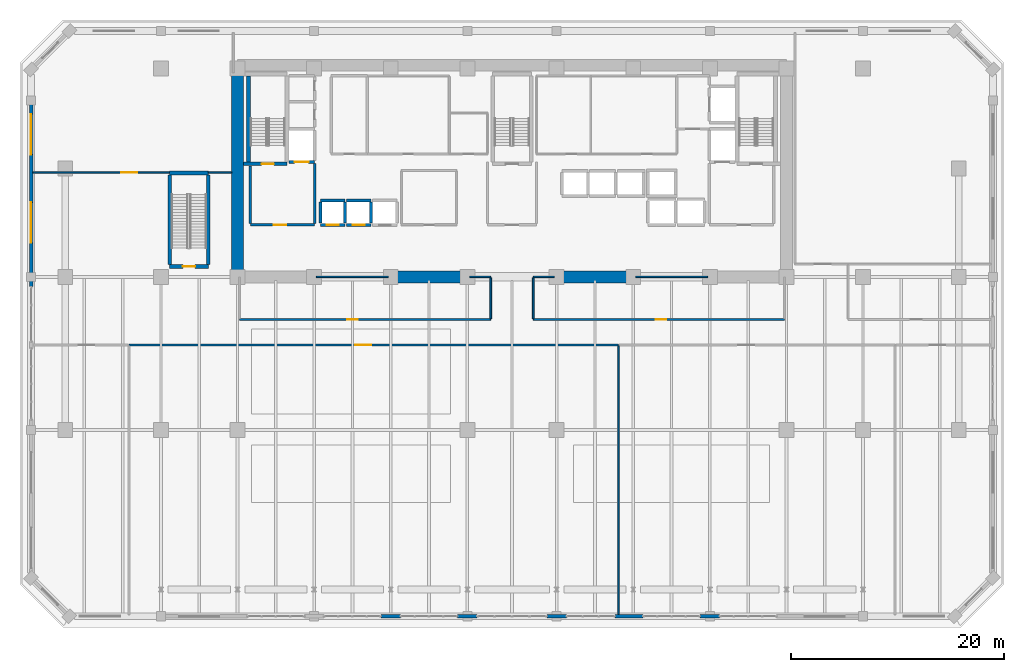
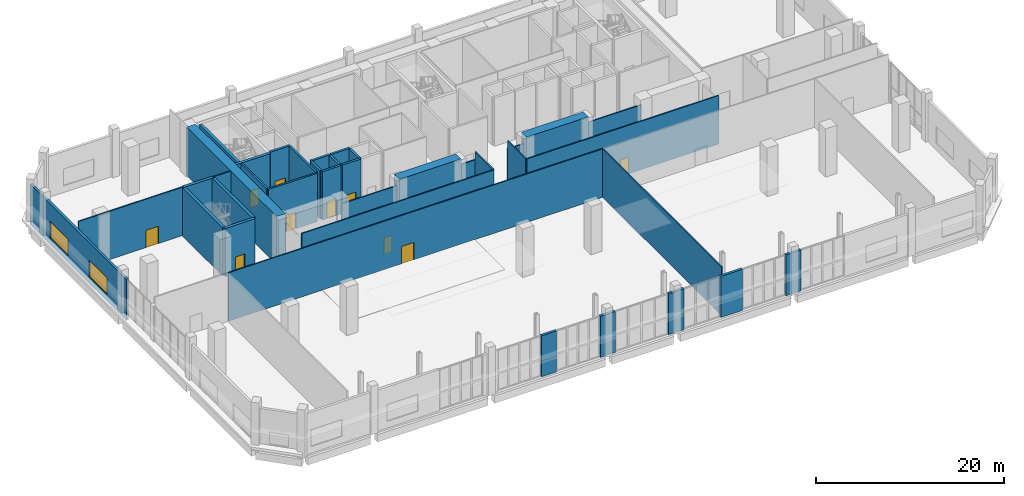
# One storey, part 21 of 29: 38 walls, 10 doors, 2 windows, 12 openings.
"""IFC4 building model written with IfcOpenShell, lengths in metres."""

from ifc_helpers import new_model, si_unit, direction, frame, frame_2d, origin, place, context, subcontext, project, spatial, rectangle, extrude, material, layer, layer_set, type_object, element, fill, save


model = new_model("IFC4")

# Units and contexts
model_context = context("Model", 3, precision=1e-05, world=origin(), true_north=direction((0.0, 1.0)))
body_context = subcontext(model_context, "Body", "Model", "MODEL_VIEW")
ifc_project = project(units=[si_unit("LENGTHUNIT", "METRE"), si_unit("AREAUNIT", "SQUARE_METRE"), si_unit("VOLUMEUNIT", "CUBIC_METRE"), si_unit("PLANEANGLEUNIT", "RADIAN"), si_unit("MASSUNIT", "GRAM", prefix="KILO")], contexts=[model_context])

# Site, building, storey
site_placement = place(None, origin())
site = spatial("IfcSite", under=ifc_project, at=site_placement, CompositionType="ELEMENT")
building_placement = place(site_placement, origin())
building = spatial("IfcBuilding", under=site, at=building_placement, Name="Kaelvorn Grand Hotel", CompositionType="ELEMENT")
storey_placement = place(building_placement, frame((0.0, 0.0, 19.39990234375)))
storey = spatial("IfcBuildingStorey", under=building, at=storey_placement, Name="L03", CompositionType="ELEMENT", Elevation=19.39990234375)

# Walls
ifc_material_1 = material(Name="Concrete C80/95", Category="concrete")
ifc_layer_1 = layer(ifc_material_1, 1.10009765625)
ifc_layer_set_1 = layer_set([ifc_layer_1], Name="Concrete C80/95")
wall_type_1 = type_object("IfcWallType", Name="WL-CORE-1100-C80", PredefinedType="SHEAR", material=ifc_layer_set_1)
wall_1_placement = place(storey_placement, frame((16.199951171875, 29.39990234375, 0.0), z_axis=(0.0, 0.0, 1.0), x_axis=(0.0, 1.0, 0.0)))
element("IfcWall", 1, at=wall_1_placement, inside=storey, type_object=wall_type_1, Name="L03 Rear-Core West Shear Wall", PredefinedType="SHEAR", context=body_context, shape_type="SweptSolid", body=[
    extrude(rectangle(XDim=19.2001953125, YDim=1.10009765625, at=frame_2d((9.60009765625, 0.0))), origin(), (0.0, 0.0, 1.0), 6.280029296875),
])
for number, where, z_axis, x_axis, name in (
    (2, (30.39990234375, 29.39990234375, 0.0), (0.0, 0.0, 1.0), (1.0, 0.0, 0.0), "L03 Rear-Core Coupled Shear Pier S2"),
    (3, (46.0, 29.39990234375, 0.0), (0.0, 0.0, 1.0), (1.0, 0.0, 0.0), "L03 Rear-Core Coupled Shear Pier S3"),
):
    element("IfcWall", number, at=place(storey_placement, frame(where, z_axis=z_axis, x_axis=x_axis)), inside=storey, type_object=wall_type_1, Name=name, PredefinedType="SHEAR", context=body_context, shape_type="SweptSolid", body=[
        extrude(rectangle(XDim=7.60009765625, YDim=1.10009765625, at=frame_2d((3.800048828125, 0.0))), origin(), (0.0, 0.0, 1.0), 6.280029296875),
    ])
ifc_material_2 = material(Name="Concrete C40/50", Category="concrete")
ifc_layer_2 = layer(ifc_material_2, 0.300048828125)
ifc_layer_set_2 = layer_set([ifc_layer_2], Name="Concrete C40/50")
wall_type_2 = type_object("IfcWallType", Name="WL-EXT-300-C40", PredefinedType="SOLIDWALL", material=ifc_layer_set_2)
wall_2_placement = place(storey_placement, frame((29.675048828125, -2.5, 0.0), z_axis=(0.0, 0.0, 1.0), x_axis=(1.0, 0.0, 0.0)))
element("IfcWall", 4, at=wall_2_placement, inside=storey, type_object=wall_type_2, Name="L03 Exterior Architectural Concrete Wall 01 Pier 3", PredefinedType="SOLIDWALL", context=body_context, shape_type="SweptSolid", body=[
    extrude(rectangle(XDim=1.849853515625, YDim=0.300048828125, at=frame_2d((0.9248046875, 0.0))), origin(), (0.0, 0.0, 1.0), 5.330078125),
])
for number, where, z_axis, x_axis, name in (
    (5, (36.875, -2.5, 0.0), (0.0, 0.0, 1.0), (1.0, 0.0, 0.0), "L03 Exterior Architectural Concrete Wall 01 Pier 4"),
    (6, (45.27490234375, -2.5, 0.0), (0.0, 0.0, 1.0), (1.0, 0.0, 0.0), "L03 Exterior Architectural Concrete Wall 01 Pier 5"),
):
    element("IfcWall", number, at=place(storey_placement, frame(where, z_axis=z_axis, x_axis=x_axis)), inside=storey, type_object=wall_type_2, Name=name, PredefinedType="SOLIDWALL", context=body_context, shape_type="SweptSolid", body=[
        extrude(rectangle(XDim=1.85009765625, YDim=0.300048828125, at=frame_2d((0.925048828125, 0.0))), origin(), (0.0, 0.0, 1.0), 5.330078125),
    ])
wall_3_placement = place(storey_placement, frame((51.675048828125, -2.5, 0.0), z_axis=(0.0, 0.0, 1.0), x_axis=(1.0, 0.0, 0.0)))
element("IfcWall", 7, at=wall_3_placement, inside=storey, type_object=wall_type_2, Name="L03 Exterior Architectural Concrete Wall 01 Pier 6", PredefinedType="SOLIDWALL", context=body_context, shape_type="SweptSolid", body=[
    extrude(rectangle(XDim=2.64990234375, YDim=0.300048828125, at=frame_2d((1.324951171875, 0.0))), origin(), (0.0, 0.0, 1.0), 5.330078125),
])
wall_4_placement = place(storey_placement, frame((59.675048828125, -2.5, 0.0), z_axis=(0.0, 0.0, 1.0), x_axis=(1.0, 0.0, 0.0)))
element("IfcWall", 8, at=wall_4_placement, inside=storey, type_object=wall_type_2, Name="L03 Exterior Architectural Concrete Wall 01 Pier 7", PredefinedType="SOLIDWALL", context=body_context, shape_type="SweptSolid", body=[
    extrude(rectangle(XDim=1.849853515625, YDim=0.300048828125, at=frame_2d((0.9248046875, 0.0))), origin(), (0.0, 0.0, 1.0), 5.330078125),
])

# Wall, openings, windows
wall_5_placement = place(storey_placement, frame((-3.199951171875, 48.89990234375, 0.0), z_axis=(0.0, 0.0, 1.0), x_axis=(0.0, -1.0, 0.0)))
wall_5 = element("IfcWall", 9, at=wall_5_placement, inside=storey, type_object=wall_type_2, Name="L03 Exterior Architectural Concrete Wall 07 Pier 1", PredefinedType="SOLIDWALL", context=body_context, shape_type="SweptSolid", body=[
    extrude(rectangle(XDim=20.4248046875, YDim=0.300048828125, at=frame_2d((10.21240234375, 0.0))), origin(), (0.0, 0.0, 1.0), 5.330078125),
])
opening_1_placement = place(wall_5_placement, frame((12.5, 0.0, 0.85009765625)))
opening_1 = element("IfcOpeningElement", 10, at=opening_1_placement, cuts=wall_5, Name="Opening W9", PredefinedType="OPENING", context=body_context, shape_type="SweptSolid", body=[
    extrude(rectangle(XDim=3.800048828125, YDim=2.199951171875, at=frame_2d((1.89990234375, 1.10009765625))), frame((0.0, 0.16015625, 0.0), z_axis=(0.0, -1.0, 0.0), x_axis=(1.0, 0.0, 0.0)), (0.0, 0.0, 1.0), 0.320068359375),
])
opening_2_placement = place(wall_5_placement, frame((4.199951171875, 0.0, 0.85009765625)))
opening_2 = element("IfcOpeningElement", 11, at=opening_2_placement, cuts=wall_5, Name="Opening W9", PredefinedType="OPENING", context=body_context, shape_type="SweptSolid", body=[
    extrude(rectangle(XDim=3.800048828125, YDim=2.199951171875, at=frame_2d((1.89990234375, 1.10009765625))), frame((0.0, 0.16015625, 0.0), z_axis=(0.0, -1.0, 0.0), x_axis=(1.0, 0.0, 0.0)), (0.0, 0.0, 1.0), 0.320068359375),
])
ifc_material_3 = material(Name="Laminated Low-E Glass", Category="glass")
window_type = type_object("IfcWindowType", Name="WIN-POD-3800x2200", PartitioningType="SINGLE_PANEL", PredefinedType="WINDOW", material=ifc_material_3)
window_1_placement = place(opening_1_placement, origin())
window_1 = element("IfcWindow", 12, at=window_1_placement, inside=storey, type_object=window_type, Name="L03 Podium W Ribbon Window 1", OverallHeight=2.199951171875, OverallWidth=3.800048828125, PartitioningType="SINGLE_PANEL", PredefinedType="WINDOW", context=body_context, shape_type="SweptSolid", body=[
    extrude(rectangle(XDim=3.800048828125, YDim=2.199951171875, at=frame_2d((1.89990234375, 1.10009765625))), frame((0.0, 0.030029296875, 0.0), z_axis=(0.0, -1.0, 0.0), x_axis=(1.0, 0.0, 0.0)), (0.0, 0.0, 1.0), 0.06005859375),
])
fill(opening_1, window_1)
window_2_placement = place(opening_2_placement, origin())
window_2 = element("IfcWindow", 13, at=window_2_placement, inside=storey, type_object=window_type, Name="L03 Podium W Ribbon Window 2", OverallHeight=2.199951171875, OverallWidth=3.800048828125, PartitioningType="SINGLE_PANEL", PredefinedType="WINDOW", context=body_context, shape_type="SweptSolid", body=[
    extrude(rectangle(XDim=3.800048828125, YDim=2.199951171875, at=frame_2d((1.89990234375, 1.10009765625))), frame((0.0, 0.030029296875, 0.0), z_axis=(0.0, -1.0, 0.0), x_axis=(1.0, 0.0, 0.0)), (0.0, 0.0, 1.0), 0.06005859375),
])
fill(opening_2, window_2)

# Wall, opening, door
ifc_material_4 = material(Name="Acoustic Gypsum & Stud Partition")
ifc_layer_3 = layer(ifc_material_4, 0.14990234375)
ifc_layer_set_3 = layer_set([ifc_layer_3], Name="Acoustic Gypsum & Stud Partition")
wall_type_3 = type_object("IfcWallType", Name="WL-PART-150-EI60", PredefinedType="PARTITIONING", material=ifc_layer_set_3)
wall_6_placement = place(storey_placement, frame((-3.044921875, 39.199951171875, 0.0), z_axis=(0.0, 0.0, 1.0), x_axis=(1.0, 0.0, 0.0)))
wall_6 = element("IfcWall", 14, at=wall_6_placement, inside=storey, type_object=wall_type_3, Name="L03 L03 North-West Banquet Support & Admin Office S Partition (1)", PredefinedType="PARTITIONING", context=body_context, shape_type="SweptSolid", body=[
    extrude(rectangle(XDim=12.85986328125, YDim=0.14990234375, at=frame_2d((6.429931640625, 0.0))), origin(), (0.0, 0.0, 1.0), 6.280029296875),
])
opening_3_placement = place(wall_6_placement, frame((8.294921875, 0.0, 0.0)))
opening_3 = element("IfcOpeningElement", 15, at=opening_3_placement, cuts=wall_6, Name="Opening DI5", PredefinedType="OPENING", context=body_context, shape_type="SweptSolid", body=[
    extrude(rectangle(XDim=1.5, YDim=2.25, at=frame_2d((0.75, 1.125))), frame((0.0, 0.0849609375, 0.0), z_axis=(0.0, -1.0, 0.0), x_axis=(1.0, 0.0, 0.0)), (0.0, 0.0, 1.0), 0.169921875),
])
ifc_material_5 = material(Name="Timber Veneer Fire Leaf", Category="wood")
door_type_1 = type_object("IfcDoorType", Name="DR-INT-SALON-1500x2250", OperationType="DOUBLE_DOOR_SINGLE_SWING", PredefinedType="DOOR", material=ifc_material_5)
door_1_placement = place(opening_3_placement, origin())
door_1 = element("IfcDoor", 16, at=door_1_placement, inside=storey, type_object=door_type_1, Name="L03 L03 North-West Banquet Support & Admin Office Door", OperationType="DOUBLE_DOOR_SINGLE_SWING", OverallHeight=2.25, OverallWidth=1.5, PredefinedType="DOOR", context=body_context, shape_type="SweptSolid", body=[
    extrude(rectangle(XDim=1.5, YDim=2.25, at=frame_2d((0.75, 1.125))), frame((0.0, 0.02490234375, 0.0), z_axis=(0.0, -1.0, 0.0), x_axis=(1.0, 0.0, 0.0)), (0.0, 0.0, 1.0), 0.050048828125),
])
fill(opening_3, door_1)

# Wall
wall_7_placement = place(storey_placement, frame((13.465087890625, 39.199951171875, 0.0), z_axis=(0.0, 0.0, 1.0), x_axis=(1.0, 0.0, 0.0)))
element("IfcWall", 17, at=wall_7_placement, inside=storey, type_object=wall_type_3, Name="L03 L03 North-West Banquet Support & Admin Office S Partition (2)", PredefinedType="PARTITIONING", context=body_context, shape_type="SweptSolid", body=[
    extrude(rectangle(XDim=2.179931640625, YDim=0.14990234375, at=frame_2d((1.08984375, 0.0))), origin(), (0.0, 0.0, 1.0), 6.280029296875),
])

# Wall, opening, door
wall_8_placement = place(storey_placement, frame((6.0, 23.0, 0.0), z_axis=(0.0, 0.0, 1.0), x_axis=(1.0, 0.0, 0.0)))
wall_8 = element("IfcWall", 18, at=wall_8_placement, inside=storey, type_object=wall_type_3, Name="L03 Grand Ballroom N Partition", PredefinedType="PARTITIONING", context=body_context, shape_type="SweptSolid", body=[
    extrude(rectangle(XDim=46.0, YDim=0.14990234375, at=frame_2d((23.0, 0.0))), origin(), (0.0, 0.0, 1.0), 6.280029296875),
])
opening_4_placement = place(wall_8_placement, frame((21.25, 0.0, 0.0)))
opening_4 = element("IfcOpeningElement", 19, at=opening_4_placement, cuts=wall_8, Name="Opening DI5", PredefinedType="OPENING", context=body_context, shape_type="SweptSolid", body=[
    extrude(rectangle(XDim=1.5, YDim=2.25, at=frame_2d((0.75, 1.125))), frame((0.0, 0.0849609375, 0.0), z_axis=(0.0, -1.0, 0.0), x_axis=(1.0, 0.0, 0.0)), (0.0, 0.0, 1.0), 0.169921875),
])
door_2_placement = place(opening_4_placement, origin())
door_2 = element("IfcDoor", 20, at=door_2_placement, inside=storey, type_object=door_type_1, Name="L03 Grand Ballroom Door", OperationType="DOUBLE_DOOR_SINGLE_SWING", OverallHeight=2.25, OverallWidth=1.5, PredefinedType="DOOR", context=body_context, shape_type="SweptSolid", body=[
    extrude(rectangle(XDim=1.5, YDim=2.25, at=frame_2d((0.75, 1.125))), frame((0.0, 0.02490234375, 0.0), z_axis=(0.0, -1.0, 0.0), x_axis=(1.0, 0.0, 0.0)), (0.0, 0.0, 1.0), 0.050048828125),
])
fill(opening_4, door_2)

# Wall
wall_9_placement = place(storey_placement, frame((52.0, -2.344970703125, 0.0), z_axis=(0.0, 0.0, 1.0), x_axis=(0.0, 1.0, 0.0)))
element("IfcWall", 21, at=wall_9_placement, inside=storey, type_object=wall_type_3, Name="L03 Grand Ballroom E Partition", PredefinedType="PARTITIONING", context=body_context, shape_type="SweptSolid", body=[
    extrude(rectangle(XDim=25.264892578125, YDim=0.14990234375, at=frame_2d((12.63232421875, 0.0))), origin(), (0.0, 0.0, 1.0), 6.280029296875),
])

# Wall, opening, door
wall_10_placement = place(storey_placement, frame((16.39990234375, 25.39990234375, 0.0), z_axis=(0.0, 0.0, 1.0), x_axis=(1.0, 0.0, 0.0)))
wall_10 = element("IfcWall", 22, at=wall_10_placement, inside=storey, type_object=wall_type_3, Name="L03 Ballroom AV & Broadcast Suite S Partition", PredefinedType="PARTITIONING", context=body_context, shape_type="SweptSolid", body=[
    extrude(rectangle(XDim=23.60009765625, YDim=0.14990234375, at=frame_2d((11.800048828125, 0.0))), origin(), (0.0, 0.0, 1.0), 6.280029296875),
])
opening_5_placement = place(wall_10_placement, frame((10.10009765625, 0.0, 0.0)))
opening_5 = element("IfcOpeningElement", 23, at=opening_5_placement, cuts=wall_10, Name="Opening DI3", PredefinedType="OPENING", context=body_context, shape_type="SweptSolid", body=[
    extrude(rectangle(XDim=1.0, YDim=2.14990234375, at=frame_2d((0.5, 1.074951171875))), frame((0.0, 0.0849609375, 0.0), z_axis=(0.0, -1.0, 0.0), x_axis=(1.0, 0.0, 0.0)), (0.0, 0.0, 1.0), 0.169921875),
])
door_type_2 = type_object("IfcDoorType", Name="DR-INT-GUEST-1000x2150", OperationType="NOTDEFINED", PredefinedType="DOOR", material=ifc_material_5)
door_3_placement = place(opening_5_placement, origin())
door_3 = element("IfcDoor", 24, at=door_3_placement, inside=storey, type_object=door_type_2, Name="L03 Ballroom AV & Broadcast Suite Door", OperationType="SINGLE_SWING_LEFT", OverallHeight=2.14990234375, OverallWidth=1.0, PredefinedType="DOOR", context=body_context, shape_type="SweptSolid", body=[
    extrude(rectangle(XDim=1.0, YDim=2.14990234375, at=frame_2d((0.5, 1.074951171875))), frame((0.0, 0.02490234375, 0.0), z_axis=(0.0, -1.0, 0.0), x_axis=(1.0, 0.0, 0.0)), (0.0, 0.0, 1.0), 0.050048828125),
])
fill(opening_5, door_3)

# Walls
wall_11_placement = place(storey_placement, frame((23.610107421875, 29.39990234375, 0.0), z_axis=(0.0, 0.0, 1.0), x_axis=(1.0, 0.0, 0.0)))
element("IfcWall", 25, at=wall_11_placement, inside=storey, type_object=wall_type_3, Name="L03 Ballroom AV & Broadcast Suite N Partition (1)", PredefinedType="PARTITIONING", context=body_context, shape_type="SweptSolid", body=[
    extrude(rectangle(XDim=6.77978515625, YDim=0.14990234375, at=frame_2d((3.389892578125, 0.0))), origin(), (0.0, 0.0, 1.0), 5.18017578125),
])
wall_12_placement = place(storey_placement, frame((38.010009765625, 29.39990234375, 0.0), z_axis=(0.0, 0.0, 1.0), x_axis=(1.0, 0.0, 0.0)))
element("IfcWall", 26, at=wall_12_placement, inside=storey, type_object=wall_type_3, Name="L03 Ballroom AV & Broadcast Suite N Partition (2)", PredefinedType="PARTITIONING", context=body_context, shape_type="SweptSolid", body=[
    extrude(rectangle(XDim=1.989990234375, YDim=0.14990234375, at=frame_2d((0.9951171875, 0.0))), origin(), (0.0, 0.0, 1.0), 5.18017578125),
])
wall_13_placement = place(storey_placement, frame((40.0, 25.47998046875, 0.0), z_axis=(0.0, 0.0, 1.0), x_axis=(0.0, 1.0, 0.0)))
element("IfcWall", 27, at=wall_13_placement, inside=storey, type_object=wall_type_3, Name="L03 Ballroom AV & Broadcast Suite E Partition", PredefinedType="PARTITIONING", context=body_context, shape_type="SweptSolid", body=[
    extrude(rectangle(XDim=3.840087890625, YDim=0.14990234375, at=frame_2d((1.919921875, 0.0))), origin(), (0.0, 0.0, 1.0), 6.280029296875),
])

# Wall, opening, door
wall_14_placement = place(storey_placement, frame((44.0, 25.39990234375, 0.0), z_axis=(0.0, 0.0, 1.0), x_axis=(1.0, 0.0, 0.0)))
wall_14 = element("IfcWall", 28, at=wall_14_placement, inside=storey, type_object=wall_type_3, Name="L03 Performers & Speakers Green Room S Partition", PredefinedType="PARTITIONING", context=body_context, shape_type="SweptSolid", body=[
    extrude(rectangle(XDim=23.60009765625, YDim=0.14990234375, at=frame_2d((11.800048828125, 0.0))), origin(), (0.0, 0.0, 1.0), 6.280029296875),
])
opening_6_placement = place(wall_14_placement, frame((11.5, 0.0, 0.0)))
opening_6 = element("IfcOpeningElement", 29, at=opening_6_placement, cuts=wall_14, Name="Opening DI3", PredefinedType="OPENING", context=body_context, shape_type="SweptSolid", body=[
    extrude(rectangle(XDim=1.0, YDim=2.14990234375, at=frame_2d((0.5, 1.074951171875))), frame((0.0, 0.0849609375, 0.0), z_axis=(0.0, -1.0, 0.0), x_axis=(1.0, 0.0, 0.0)), (0.0, 0.0, 1.0), 0.169921875),
])
door_4_placement = place(opening_6_placement, origin())
door_4 = element("IfcDoor", 30, at=door_4_placement, inside=storey, type_object=door_type_2, Name="L03 Performers & Speakers Green Room Door", OperationType="SINGLE_SWING_RIGHT", OverallHeight=2.14990234375, OverallWidth=1.0, PredefinedType="DOOR", context=body_context, shape_type="SweptSolid", body=[
    extrude(rectangle(XDim=1.0, YDim=2.14990234375, at=frame_2d((0.5, 1.074951171875))), frame((0.0, 0.02490234375, 0.0), z_axis=(0.0, -1.0, 0.0), x_axis=(1.0, 0.0, 0.0)), (0.0, 0.0, 1.0), 0.050048828125),
])
fill(opening_6, door_4)

# Walls
wall_15_placement = place(storey_placement, frame((44.0, 29.39990234375, 0.0), z_axis=(0.0, 0.0, 1.0), x_axis=(1.0, 0.0, 0.0)))
element("IfcWall", 31, at=wall_15_placement, inside=storey, type_object=wall_type_3, Name="L03 Performers & Speakers Green Room N Partition (1)", PredefinedType="PARTITIONING", context=body_context, shape_type="SweptSolid", body=[
    extrude(rectangle(XDim=1.989990234375, YDim=0.14990234375, at=frame_2d((0.9951171875, 0.0))), origin(), (0.0, 0.0, 1.0), 5.18017578125),
])
wall_16_placement = place(storey_placement, frame((53.610107421875, 29.39990234375, 0.0), z_axis=(0.0, 0.0, 1.0), x_axis=(1.0, 0.0, 0.0)))
element("IfcWall", 32, at=wall_16_placement, inside=storey, type_object=wall_type_3, Name="L03 Performers & Speakers Green Room N Partition (2)", PredefinedType="PARTITIONING", context=body_context, shape_type="SweptSolid", body=[
    extrude(rectangle(XDim=6.77978515625, YDim=0.14990234375, at=frame_2d((3.389892578125, 0.0))), origin(), (0.0, 0.0, 1.0), 5.18017578125),
])
wall_17_placement = place(storey_placement, frame((44.0, 25.47998046875, 0.0), z_axis=(0.0, 0.0, 1.0), x_axis=(0.0, 1.0, 0.0)))
element("IfcWall", 33, at=wall_17_placement, inside=storey, type_object=wall_type_3, Name="L03 Performers & Speakers Green Room W Partition", PredefinedType="PARTITIONING", context=body_context, shape_type="SweptSolid", body=[
    extrude(rectangle(XDim=3.840087890625, YDim=0.14990234375, at=frame_2d((1.919921875, 0.0))), origin(), (0.0, 0.0, 1.0), 6.280029296875),
])

# Wall, opening, door
ifc_layer_4 = layer(ifc_material_2, 0.219970703125)
ifc_layer_set_4 = layer_set([ifc_layer_4], Name="Concrete C40/50")
wall_type_4 = type_object("IfcWallType", Name="WL-PART-220-EI120", PredefinedType="PARTITIONING", material=ifc_layer_set_4)
wall_18_placement = place(storey_placement, frame((17.39990234375, 34.300048828125, 0.0), z_axis=(0.0, 0.0, 1.0), x_axis=(1.0, 0.0, 0.0)))
wall_18 = element("IfcWall", 34, at=wall_18_placement, inside=storey, type_object=wall_type_4, Name="L03 Firefighting Lift Lobby 1 S Partition", PredefinedType="PARTITIONING", context=body_context, shape_type="SweptSolid", body=[
    extrude(rectangle(XDim=6.050048828125, YDim=0.219970703125, at=frame_2d((3.02490234375, 0.0))), origin(), (0.0, 0.0, 1.0), 6.280029296875),
])
opening_7_placement = place(wall_18_placement, frame((2.199951171875, 0.0, 0.0)))
opening_7 = element("IfcOpeningElement", 35, at=opening_7_placement, cuts=wall_18, Name="Opening DI2", PredefinedType="OPENING", context=body_context, shape_type="SweptSolid", body=[
    extrude(rectangle(XDim=1.199951171875, YDim=2.14990234375, at=frame_2d((0.60009765625, 1.074951171875))), frame((0.0, 0.1201171875, 0.0), z_axis=(0.0, -1.0, 0.0), x_axis=(1.0, 0.0, 0.0)), (0.0, 0.0, 1.0), 0.239990234375),
])
door_type_3 = type_object("IfcDoorType", Name="DR-INT-FFLOB-1200x2150", OperationType="NOTDEFINED", PredefinedType="DOOR", material=ifc_material_5)
door_5_placement = place(opening_7_placement, origin())
door_5 = element("IfcDoor", 36, at=door_5_placement, inside=storey, type_object=door_type_3, Name="L03 Firefighting Lift Lobby 1 Door", OperationType="SINGLE_SWING_RIGHT", OverallHeight=2.14990234375, OverallWidth=1.199951171875, PredefinedType="DOOR", context=body_context, shape_type="SweptSolid", body=[
    extrude(rectangle(XDim=1.199951171875, YDim=2.14990234375, at=frame_2d((0.60009765625, 1.074951171875))), frame((0.0, 0.02490234375, 0.0), z_axis=(0.0, -1.0, 0.0), x_axis=(1.0, 0.0, 0.0)), (0.0, 0.0, 1.0), 0.050048828125),
])
fill(opening_7, door_5)

# Walls
wall_19_placement = place(storey_placement, frame((17.39990234375, 34.4150390625, 0.0), z_axis=(0.0, 0.0, 1.0), x_axis=(0.0, 1.0, 0.0)))
element("IfcWall", 37, at=wall_19_placement, inside=storey, type_object=wall_type_4, Name="L03 Firefighting Lift Lobby 1 W Partition", PredefinedType="PARTITIONING", context=body_context, shape_type="SweptSolid", body=[
    extrude(rectangle(XDim=5.429931640625, YDim=0.219970703125, at=frame_2d((2.71484375, 0.0))), origin(), (0.0, 0.0, 1.0), 6.280029296875),
])
wall_20_placement = place(storey_placement, frame((23.449951171875, 34.4150390625, 0.0), z_axis=(0.0, 0.0, 1.0), x_axis=(0.0, 1.0, 0.0)))
element("IfcWall", 38, at=wall_20_placement, inside=storey, type_object=wall_type_4, Name="L03 Firefighting Lift Lobby 1 E Partition", PredefinedType="PARTITIONING", context=body_context, shape_type="SweptSolid", body=[
    extrude(rectangle(XDim=5.639892578125, YDim=0.219970703125, at=frame_2d((2.81982421875, 0.0))), origin(), (0.0, 0.0, 1.0), 6.280029296875),
])

# Wall, opening, door
ifc_material_6 = material(Name="Concrete C50/60", Category="concrete")
ifc_layer_5 = layer(ifc_material_6, 0.280029296875)
ifc_layer_set_5 = layer_set([ifc_layer_5], Name="Concrete C50/60")
wall_type_5 = type_object("IfcWallType", Name="WL-SHAFT-280-C50", PredefinedType="SHEAR", material=ifc_layer_set_5)
wall_21_placement = place(storey_placement, frame((24.0, 34.300048828125, 0.0), z_axis=(0.0, 0.0, 1.0), x_axis=(1.0, 0.0, 0.0)))
wall_21 = element("IfcWall", 39, at=wall_21_placement, inside=storey, type_object=wall_type_5, Name="L03 Lift PL-L1 Shaft South Wall", PredefinedType="SHEAR", context=body_context, shape_type="SweptSolid", body=[
    extrude(rectangle(XDim=2.300048828125, YDim=0.280029296875, at=frame_2d((1.14990234375, 0.0))), origin(), (0.0, 0.0, 1.0), 6.280029296875),
])
opening_8_placement = place(wall_21_placement, frame((0.60009765625, 0.0, 0.0)))
opening_8 = element("IfcOpeningElement", 40, at=opening_8_placement, cuts=wall_21, Name="Opening LD-PL-L1", PredefinedType="OPENING", context=body_context, shape_type="SweptSolid", body=[
    extrude(rectangle(XDim=1.10009765625, YDim=2.199951171875, at=frame_2d((0.550048828125, 1.10009765625))), frame((0.0, 0.14990234375, 0.0), z_axis=(0.0, -1.0, 0.0), x_axis=(1.0, 0.0, 0.0)), (0.0, 0.0, 1.0), 0.300048828125),
])
ifc_material_7 = material(Name="Stainless Steel", Category="steel")
door_type_4 = type_object("IfcDoorType", Name="DR-LIFT-PASS-1100x2200", OperationType="DOUBLE_DOOR_SLIDING", PredefinedType="DOOR", material=ifc_material_7)
door_6_placement = place(opening_8_placement, origin())
door_6 = element("IfcDoor", 41, at=door_6_placement, inside=storey, type_object=door_type_4, Name="L03 Lift PL-L1 Sliding Landing Door LD-PL-L1", OperationType="DOUBLE_DOOR_SLIDING", OverallHeight=2.199951171875, OverallWidth=1.10009765625, PredefinedType="DOOR", context=body_context, shape_type="SweptSolid", body=[
    extrude(rectangle(XDim=1.10009765625, YDim=2.199951171875, at=frame_2d((0.550048828125, 1.10009765625))), frame((0.0, 0.02490234375, 0.0), z_axis=(0.0, -1.0, 0.0), x_axis=(1.0, 0.0, 0.0)), (0.0, 0.0, 1.0), 0.050048828125),
])
fill(opening_8, door_6)

# Walls
wall_22_placement = place(storey_placement, frame((24.0, 36.60009765625, 0.0), z_axis=(0.0, 0.0, 1.0), x_axis=(1.0, 0.0, 0.0)))
element("IfcWall", 42, at=wall_22_placement, inside=storey, type_object=wall_type_5, Name="L03 Lift PL-L1 Shaft North Wall", PredefinedType="SHEAR", context=body_context, shape_type="SweptSolid", body=[
    extrude(rectangle(XDim=2.300048828125, YDim=0.280029296875, at=frame_2d((1.14990234375, 0.0))), origin(), (0.0, 0.0, 1.0), 6.280029296875),
])
for number, where, z_axis, x_axis, name in (
    (43, (24.0, 34.445068359375, 0.0), (0.0, 0.0, 1.0), (0.0, 1.0, 0.0), "L03 Lift PL-L1 Shaft West Wall"),
    (44, (26.300048828125, 34.445068359375, 0.0), (0.0, 0.0, 1.0), (0.0, 1.0, 0.0), "L03 Lift PL-L1 Shaft East Wall"),
):
    element("IfcWall", number, at=place(storey_placement, frame(where, z_axis=z_axis, x_axis=x_axis)), inside=storey, type_object=wall_type_5, Name=name, PredefinedType="SHEAR", context=body_context, shape_type="SweptSolid", body=[
        extrude(rectangle(XDim=2.010009765625, YDim=0.280029296875, at=frame_2d((1.0048828125, 0.0))), origin(), (0.0, 0.0, 1.0), 6.280029296875),
    ])

# Wall, opening, door
wall_23_placement = place(storey_placement, frame((26.449951171875, 34.300048828125, 0.0), z_axis=(0.0, 0.0, 1.0), x_axis=(1.0, 0.0, 0.0)))
wall_23 = element("IfcWall", 45, at=wall_23_placement, inside=storey, type_object=wall_type_5, Name="L03 Lift PL-L2 Shaft South Wall", PredefinedType="SHEAR", context=body_context, shape_type="SweptSolid", body=[
    extrude(rectangle(XDim=2.300048828125, YDim=0.280029296875, at=frame_2d((1.14990234375, 0.0))), origin(), (0.0, 0.0, 1.0), 6.280029296875),
])
opening_9_placement = place(wall_23_placement, frame((0.60009765625, 0.0, 0.0)))
opening_9 = element("IfcOpeningElement", 46, at=opening_9_placement, cuts=wall_23, Name="Opening LD-PL-L2", PredefinedType="OPENING", context=body_context, shape_type="SweptSolid", body=[
    extrude(rectangle(XDim=1.10009765625, YDim=2.199951171875, at=frame_2d((0.550048828125, 1.10009765625))), frame((0.0, 0.14990234375, 0.0), z_axis=(0.0, -1.0, 0.0), x_axis=(1.0, 0.0, 0.0)), (0.0, 0.0, 1.0), 0.300048828125),
])
door_7_placement = place(opening_9_placement, origin())
door_7 = element("IfcDoor", 47, at=door_7_placement, inside=storey, type_object=door_type_4, Name="L03 Lift PL-L2 Sliding Landing Door LD-PL-L2", OperationType="DOUBLE_DOOR_SLIDING", OverallHeight=2.199951171875, OverallWidth=1.10009765625, PredefinedType="DOOR", context=body_context, shape_type="SweptSolid", body=[
    extrude(rectangle(XDim=1.10009765625, YDim=2.199951171875, at=frame_2d((0.550048828125, 1.10009765625))), frame((0.0, 0.02490234375, 0.0), z_axis=(0.0, -1.0, 0.0), x_axis=(1.0, 0.0, 0.0)), (0.0, 0.0, 1.0), 0.050048828125),
])
fill(opening_9, door_7)

# Walls
wall_24_placement = place(storey_placement, frame((26.449951171875, 36.60009765625, 0.0), z_axis=(0.0, 0.0, 1.0), x_axis=(1.0, 0.0, 0.0)))
element("IfcWall", 48, at=wall_24_placement, inside=storey, type_object=wall_type_5, Name="L03 Lift PL-L2 Shaft North Wall", PredefinedType="SHEAR", context=body_context, shape_type="SweptSolid", body=[
    extrude(rectangle(XDim=2.300048828125, YDim=0.280029296875, at=frame_2d((1.14990234375, 0.0))), origin(), (0.0, 0.0, 1.0), 6.280029296875),
])
wall_25_placement = place(storey_placement, frame((28.75, 34.445068359375, 0.0), z_axis=(0.0, 0.0, 1.0), x_axis=(0.0, 1.0, 0.0)))
element("IfcWall", 49, at=wall_25_placement, inside=storey, type_object=wall_type_5, Name="L03 Lift PL-L2 Shaft East Wall", PredefinedType="SHEAR", context=body_context, shape_type="SweptSolid", body=[
    extrude(rectangle(XDim=2.010009765625, YDim=0.280029296875, at=frame_2d((1.0048828125, 0.0))), origin(), (0.0, 0.0, 1.0), 6.280029296875),
])

# Wall, opening, door
wall_26_placement = place(storey_placement, frame((21.034912109375, 40.199951171875, 0.0), z_axis=(0.0, 0.0, 1.0), x_axis=(1.0, 0.0, 0.0)))
wall_26 = element("IfcWall", 50, at=wall_26_placement, inside=storey, type_object=wall_type_5, Name="L03 Lift FFL1 Shaft South Wall", PredefinedType="SHEAR", context=body_context, shape_type="SweptSolid", body=[
    extrude(rectangle(XDim=2.4150390625, YDim=0.280029296875, at=frame_2d((1.20751953125, 0.0))), origin(), (0.0, 0.0, 1.0), 6.280029296875),
])
opening_10_placement = place(wall_26_placement, frame((0.5400390625, 0.0, 0.0)))
opening_10 = element("IfcOpeningElement", 51, at=opening_10_placement, cuts=wall_26, Name="Opening LD-FFL1", PredefinedType="OPENING", context=body_context, shape_type="SweptSolid", body=[
    extrude(rectangle(XDim=1.300048828125, YDim=2.300048828125, at=frame_2d((0.64990234375, 1.14990234375))), frame((0.0, 0.14990234375, 0.0), z_axis=(0.0, -1.0, 0.0), x_axis=(1.0, 0.0, 0.0)), (0.0, 0.0, 1.0), 0.300048828125),
])
door_type_5 = type_object("IfcDoorType", Name="DR-LIFT-SERV-1300x2300", OperationType="DOUBLE_DOOR_SLIDING", PredefinedType="DOOR", material=ifc_material_7)
door_8_placement = place(opening_10_placement, origin())
door_8 = element("IfcDoor", 52, at=door_8_placement, inside=storey, type_object=door_type_5, Name="L03 Lift FFL1 Sliding Landing Door LD-FFL1", OperationType="DOUBLE_DOOR_SLIDING", OverallHeight=2.300048828125, OverallWidth=1.300048828125, PredefinedType="DOOR", context=body_context, shape_type="SweptSolid", body=[
    extrude(rectangle(XDim=1.300048828125, YDim=2.300048828125, at=frame_2d((0.64990234375, 1.14990234375))), frame((0.0, 0.02490234375, 0.0), z_axis=(0.0, -1.0, 0.0), x_axis=(1.0, 0.0, 0.0)), (0.0, 0.0, 1.0), 0.050048828125),
])
fill(opening_10, door_8)

ifc_material_8 = material(Name="Concrete C60/75", Category="concrete")
ifc_layer_6 = layer(ifc_material_8, 0.35009765625)
ifc_layer_set_6 = layer_set([ifc_layer_6], Name="Concrete C60/75")
wall_type_6 = type_object("IfcWallType", Name="WL-SHAFT-350-C60", PredefinedType="SHEAR", material=ifc_layer_set_6)
wall_27_placement = place(storey_placement, frame((16.7548828125, 40.02490234375, 0.0), z_axis=(0.0, 0.0, 1.0), x_axis=(1.0, 0.0, 0.0)))
wall_27 = element("IfcWall", 53, at=wall_27_placement, inside=storey, type_object=wall_type_6, Name="L03 ST1 Stair Shaft South Wall", PredefinedType="SHEAR", context=body_context, shape_type="SweptSolid", body=[
    extrude(rectangle(XDim=4.10009765625, YDim=0.35009765625, at=frame_2d((2.050048828125, 0.0))), origin(), (0.0, 0.0, 1.0), 6.280029296875),
])
opening_11_placement = place(wall_27_placement, frame((1.7099609375, 0.0, 0.0)))
opening_11 = element("IfcOpeningElement", 54, at=opening_11_placement, cuts=wall_27, Name="Opening DI1", PredefinedType="OPENING", context=body_context, shape_type="SweptSolid", body=[
    extrude(rectangle(XDim=1.14990234375, YDim=2.14990234375, at=frame_2d((0.574951171875, 1.074951171875))), frame((0.0, 0.18505859375, 0.0), z_axis=(0.0, -1.0, 0.0), x_axis=(1.0, 0.0, 0.0)), (0.0, 0.0, 1.0), 0.3701171875),
])
door_type_6 = type_object("IfcDoorType", Name="DR-INT-STAIR-1150x2150", OperationType="NOTDEFINED", PredefinedType="DOOR", material=ifc_material_5)
door_9_placement = place(opening_11_placement, origin())
door_9 = element("IfcDoor", 55, at=door_9_placement, inside=storey, type_object=door_type_6, Name="L03 ST1 Exit Stair Fire Door", OperationType="SINGLE_SWING_RIGHT", OverallHeight=2.14990234375, OverallWidth=1.14990234375, PredefinedType="DOOR", context=body_context, shape_type="SweptSolid", body=[
    extrude(rectangle(XDim=1.14990234375, YDim=2.14990234375, at=frame_2d((0.574951171875, 1.074951171875))), frame((0.0, 0.02490234375, 0.0), z_axis=(0.0, -1.0, 0.0), x_axis=(1.0, 0.0, 0.0)), (0.0, 0.0, 1.0), 0.050048828125),
])
fill(opening_11, door_9)

# Wall
wall_28_placement = place(storey_placement, frame((17.22509765625, 40.205078125, 0.0), z_axis=(0.0, 0.0, 1.0), x_axis=(0.0, 1.0, 0.0)))
element("IfcWall", 56, at=wall_28_placement, inside=storey, type_object=wall_type_6, Name="L03 ST1 Stair Shaft West Wall", PredefinedType="SHEAR", context=body_context, shape_type="SweptSolid", body=[
    extrude(rectangle(XDim=8.08984375, YDim=0.35009765625, at=frame_2d((4.044921875, 0.0))), origin(), (0.0, 0.0, 1.0), 6.280029296875),
])

# Wall, opening, door
wall_29_placement = place(storey_placement, frame((9.824951171875, 30.375, 0.0), z_axis=(0.0, 0.0, 1.0), x_axis=(1.0, 0.0, 0.0)))
wall_29 = element("IfcWall", 57, at=wall_29_placement, inside=storey, type_object=wall_type_6, Name="L03 ST4 Stair Shaft South Wall", PredefinedType="SHEAR", context=body_context, shape_type="SweptSolid", body=[
    extrude(rectangle(XDim=3.630126953125, YDim=0.35009765625, at=frame_2d((1.81494140625, 0.0))), origin(), (0.0, 0.0, 1.0), 6.280029296875),
])
opening_12_placement = place(wall_29_placement, frame((1.239990234375, 0.0, 0.0)))
opening_12 = element("IfcOpeningElement", 58, at=opening_12_placement, cuts=wall_29, Name="Opening DI1", PredefinedType="OPENING", context=body_context, shape_type="SweptSolid", body=[
    extrude(rectangle(XDim=1.14990234375, YDim=2.14990234375, at=frame_2d((0.574951171875, 1.074951171875))), frame((0.0, 0.18505859375, 0.0), z_axis=(0.0, -1.0, 0.0), x_axis=(1.0, 0.0, 0.0)), (0.0, 0.0, 1.0), 0.3701171875),
])
door_10_placement = place(opening_12_placement, origin())
door_10 = element("IfcDoor", 59, at=door_10_placement, inside=storey, type_object=door_type_6, Name="L03 ST4 Exit Stair Fire Door", OperationType="SINGLE_SWING_LEFT", OverallHeight=2.14990234375, OverallWidth=1.14990234375, PredefinedType="DOOR", context=body_context, shape_type="SweptSolid", body=[
    extrude(rectangle(XDim=1.14990234375, YDim=2.14990234375, at=frame_2d((0.574951171875, 1.074951171875))), frame((0.0, 0.02490234375, 0.0), z_axis=(0.0, -1.0, 0.0), x_axis=(1.0, 0.0, 0.0)), (0.0, 0.0, 1.0), 0.050048828125),
])
fill(opening_12, door_10)

# Walls
wall_30_placement = place(storey_placement, frame((9.824951171875, 39.175048828125, 0.0), z_axis=(0.0, 0.0, 1.0), x_axis=(1.0, 0.0, 0.0)))
element("IfcWall", 60, at=wall_30_placement, inside=storey, type_object=wall_type_6, Name="L03 ST4 Stair Shaft North Wall", PredefinedType="SHEAR", context=body_context, shape_type="SweptSolid", body=[
    extrude(rectangle(XDim=3.630126953125, YDim=0.35009765625, at=frame_2d((1.81494140625, 0.0))), origin(), (0.0, 0.0, 1.0), 6.280029296875),
])
for number, where, z_axis, x_axis, name in (
    (61, (9.824951171875, 30.554931640625, 0.0), (0.0, 0.0, 1.0), (0.0, 1.0, 0.0), "L03 ST4 Stair Shaft West Wall"),
    (62, (13.455078125, 30.554931640625, 0.0), (0.0, 0.0, 1.0), (0.0, 1.0, 0.0), "L03 ST4 Stair Shaft East Wall"),
):
    element("IfcWall", number, at=place(storey_placement, frame(where, z_axis=z_axis, x_axis=x_axis)), inside=storey, type_object=wall_type_6, Name=name, PredefinedType="SHEAR", context=body_context, shape_type="SweptSolid", body=[
        extrude(rectangle(XDim=8.440185546875, YDim=0.35009765625, at=frame_2d((4.22021484375, 0.0))), origin(), (0.0, 0.0, 1.0), 6.280029296875),
    ])

save(model, "model.ifc")
